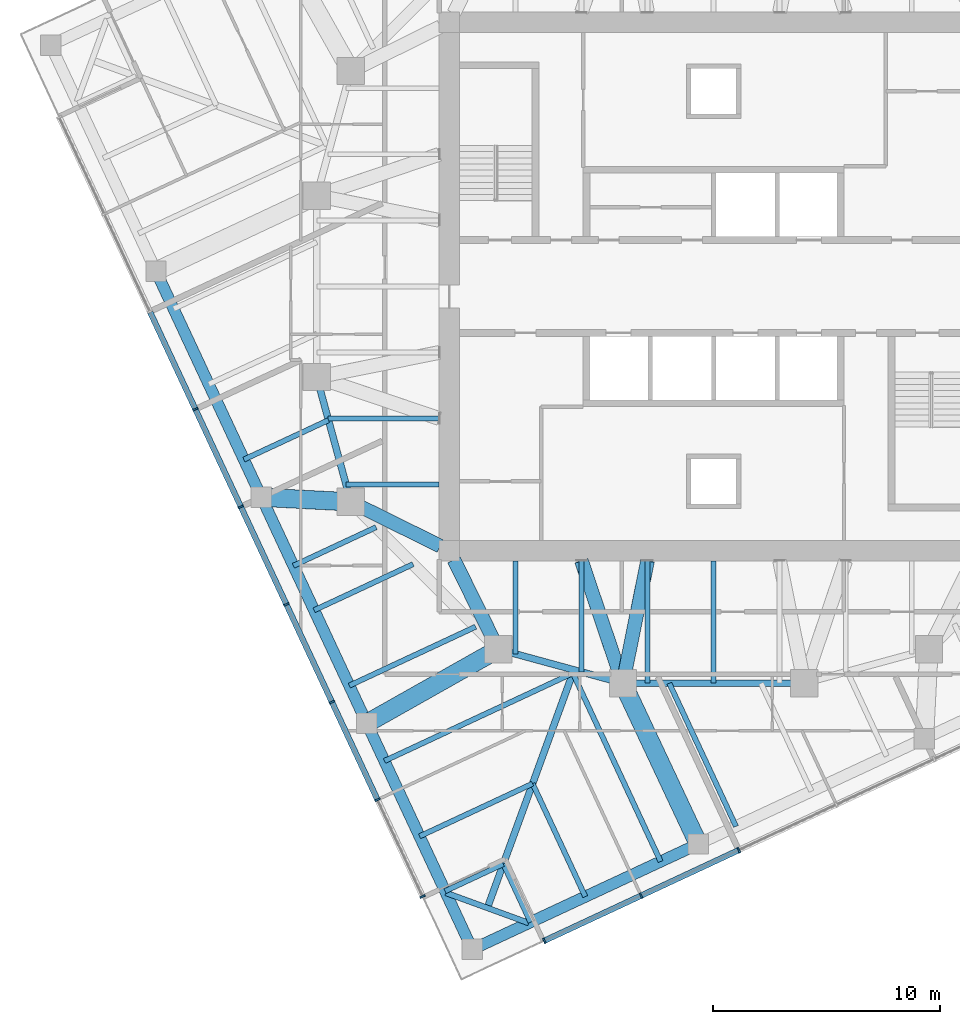
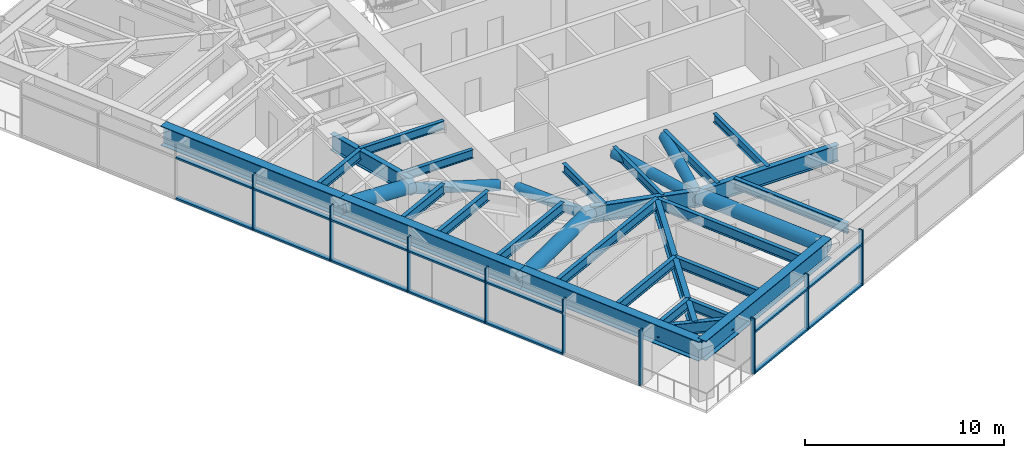
# One storey, part 2 of 16: 30 members, 26 beams, 2 elements without a shape of their own.
"""IFC4 building model written with IfcOpenShell, lengths in metres."""

from ifc_helpers import new_model, si_unit, direction, frame, origin, origin_2d, place, context, subcontext, project, spatial, rectangle, hollow_circle, i_section, extrude, material, material_profile, profile_set, type_object, element, aggregate, save


model = new_model("IFC4")

# Units and contexts
model_context = context("Model", 3, precision=1e-05, world=origin(), true_north=direction((0.0, 1.0)))
body_context = subcontext(model_context, "Body", "Model", "MODEL_VIEW")
ifc_project = project(units=[si_unit("LENGTHUNIT", "METRE"), si_unit("AREAUNIT", "SQUARE_METRE"), si_unit("VOLUMEUNIT", "CUBIC_METRE"), si_unit("PLANEANGLEUNIT", "RADIAN"), si_unit("MASSUNIT", "GRAM", prefix="KILO")], contexts=[model_context])

# Site, building, storey
site_placement = place(None, origin())
site = spatial("IfcSite", under=ifc_project, at=site_placement, CompositionType="ELEMENT")
building_placement = place(site_placement, origin())
building = spatial("IfcBuilding", under=site, at=building_placement, Name="Torsade Residences", CompositionType="ELEMENT")
storey_placement = place(building_placement, frame((0.0, 0.0, 199.800048828125)))
storey = spatial("IfcBuildingStorey", under=building, at=storey_placement, Name="L55", CompositionType="ELEMENT", Elevation=199.800048828125)

# Beams
ifc_material_1 = material(Name="Steel grade 300", Category="steel")
ifc_material_profile_1 = material_profile(ifc_material_1, i_section(OverallWidth=0.300048828125, OverallDepth=1.0, WebThickness=0.01611328125, FlangeThickness=0.028076171875, at=origin_2d()), Name="1000WB215")
ifc_profile_set_1 = profile_set([ifc_material_profile_1], Name="Steel grade 300")
beam_type_1 = type_object("IfcBeamType", Name="CORNER GIRDER 1000WB215", PredefinedType="BEAM", material=ifc_profile_set_1)
beam_1_placement = place(storey_placement, frame((30.02392578125, 2.5908203125, 2.699951171875), z_axis=(0.342015044723, 0.93969447651, 0.0), x_axis=(-0.93969447651, 0.342015044723, 0.0)))
element("IfcBeam", 1, at=beam_1_placement, inside=storey, type_object=beam_type_1, Name="Corner girder 01 L56", PredefinedType="BEAM", context=body_context, shape_type="SweptSolid", body=[
    extrude(i_section(OverallWidth=0.300048828125, OverallDepth=1.0, WebThickness=0.01611328125, FlangeThickness=0.028076171875, at=origin_2d()), origin(), (0.0, 0.0, 1.0), 11.170654296875),
])
ifc_material_2 = material(Name="Steel grade 300", Category="steel")
ifc_material_profile_2 = material_profile(ifc_material_2, i_section(OverallWidth=0.25, OverallDepth=0.699951171875, WebThickness=0.010009765625, FlangeThickness=0.02001953125, at=origin_2d()), Name="700WB130")
ifc_profile_set_2 = profile_set([ifc_material_profile_2], Name="Steel grade 300")
beam_type_2 = type_object("IfcBeamType", Name="CORNER TRIMMER 700WB130", PredefinedType="BEAM", material=ifc_profile_set_2)
beam_2_placement = place(storey_placement, frame((31.85107421875, 1.92578125, 2.849853515625), z_axis=(-0.939698076972, 0.342005152204, 0.0), x_axis=(-0.342005152204, -0.939698076972, 0.0)))
element("IfcBeam", 2, at=beam_2_placement, inside=storey, type_object=beam_type_2, Name="Corner trimmer 01 L56", PredefinedType="BEAM", context=body_context, shape_type="SweptSolid", body=[
    extrude(i_section(OverallWidth=0.25, OverallDepth=0.699951171875, WebThickness=0.010009765625, FlangeThickness=0.02001953125, at=origin_2d()), origin(), (0.0, 0.0, 1.0), 3.88916015625),
])
ifc_material_3 = material(Name="Steel grade 300", Category="steel")
ifc_material_profile_3 = material_profile(ifc_material_3, i_section(OverallWidth=0.208984375, OverallDepth=0.528076171875, WebThickness=0.009521484375, FlangeThickness=0.01318359375, FilletRadius=0.013916015625, at=origin_2d()), Name="530UB82.0")
ifc_profile_set_3 = profile_set([ifc_material_profile_3], Name="Steel grade 300")
beam_type_3 = type_object("IfcBeamType", Name="INNER FLOOR BEAM 530UB82.0", PredefinedType="JOIST", material=ifc_profile_set_3)
for number, where, z_axis, x_axis, name in (
    (3, (40.0, 17.89990234375, 2.93603515625), (0.0, -1.0, 0.0), (1.0, 0.0, 0.0), "Inner floor beam IS04 L56"),
    (4, (37.08740234375, 17.89990234375, 2.93603515625), (0.0, -1.0, 0.0), (1.0, 0.0, 0.0), "Inner floor beam IS05 L56"),
):
    element("IfcBeam", number, at=place(storey_placement, frame(where, z_axis=z_axis, x_axis=x_axis)), inside=storey, type_object=beam_type_3, Name=name, PredefinedType="JOIST", context=body_context, shape_type="SweptSolid", body=[
        extrude(i_section(OverallWidth=0.208984375, OverallDepth=0.528076171875, WebThickness=0.009521484375, FlangeThickness=0.01318359375, FilletRadius=0.013916015625, at=origin_2d()), origin(), (0.0, 0.0, 1.0), 5.39990234375),
    ])
beam_3_placement = place(storey_placement, frame((34.175048828125, 17.89990234375, 2.93603515625), z_axis=(0.0, -1.0, 0.0), x_axis=(1.0, 0.0, 0.0)))
element("IfcBeam", 5, at=beam_3_placement, inside=storey, type_object=beam_type_3, Name="Inner floor beam IS06 L56", PredefinedType="JOIST", context=body_context, shape_type="SweptSolid", body=[
    extrude(i_section(OverallWidth=0.208984375, OverallDepth=0.528076171875, WebThickness=0.009521484375, FlangeThickness=0.01318359375, FilletRadius=0.013916015625, at=origin_2d()), origin(), (0.0, 0.0, 1.0), 4.902099609375),
])
beam_4_placement = place(storey_placement, frame((31.262451171875, 17.89990234375, 2.93603515625), z_axis=(0.0, -1.0, 0.0), x_axis=(1.0, 0.0, 0.0)))
element("IfcBeam", 6, at=beam_4_placement, inside=storey, type_object=beam_type_3, Name="Inner floor beam IS07 L56", PredefinedType="JOIST", context=body_context, shape_type="SweptSolid", body=[
    extrude(i_section(OverallWidth=0.208984375, OverallDepth=0.528076171875, WebThickness=0.009521484375, FlangeThickness=0.01318359375, FilletRadius=0.013916015625, at=origin_2d()), origin(), (0.0, 0.0, 1.0), 4.10791015625),
])
beam_5_placement = place(storey_placement, frame((27.89990234375, 24.175048828125, 2.93603515625), z_axis=(-1.0, 0.0, 0.0), x_axis=(0.0, -1.0, 0.0)))
element("IfcBeam", 7, at=beam_5_placement, inside=storey, type_object=beam_type_3, Name="Inner floor beam IW06 L56", PredefinedType="JOIST", context=body_context, shape_type="SweptSolid", body=[
    extrude(i_section(OverallWidth=0.208984375, OverallDepth=0.528076171875, WebThickness=0.009521484375, FlangeThickness=0.01318359375, FilletRadius=0.013916015625, at=origin_2d()), origin(), (0.0, 0.0, 1.0), 4.902099609375),
])
beam_6_placement = place(storey_placement, frame((27.89990234375, 21.262451171875, 2.93603515625), z_axis=(-1.0, 0.0, 0.0), x_axis=(0.0, -1.0, 0.0)))
element("IfcBeam", 8, at=beam_6_placement, inside=storey, type_object=beam_type_3, Name="Inner floor beam IW07 L56", PredefinedType="JOIST", context=body_context, shape_type="SweptSolid", body=[
    extrude(i_section(OverallWidth=0.208984375, OverallDepth=0.528076171875, WebThickness=0.009521484375, FlangeThickness=0.01318359375, FilletRadius=0.013916015625, at=origin_2d()), origin(), (0.0, 0.0, 1.0), 4.10791015625),
])

# Curtain wall, members
ifc_material_4 = material(Name="Aluminium and glass", Category="aluminium")
curtain_wall_type = type_object("IfcCurtainWallType", Name="FRITTED GLASS CURTAIN WALL MID ZONE", PredefinedType="NOTDEFINED", material=ifc_material_4)
curtain_wall_1_placement = place(storey_placement, origin())
curtain_wall_1 = element("IfcCurtainWall", 9, at=curtain_wall_1_placement, inside=storey, type_object=curtain_wall_type, Name="Curtain wall L55 face 1", PredefinedType="NOTDEFINED")
ifc_material_5 = material(Name="Aluminium mullion", Category="aluminium")
ifc_material_profile_4 = material_profile(ifc_material_5, rectangle(XDim=0.25, YDim=0.080078125, at=origin_2d()), Name="MID ZONE CURTAIN WALL MULLION 250x80")
ifc_profile_set_4 = profile_set([ifc_material_profile_4], Name="Aluminium mullion")
member_type_1 = type_object("IfcMemberType", Name="MID ZONE CURTAIN WALL MULLION 250x80", PredefinedType="MULLION", material=ifc_profile_set_4)
member_1_placement = place(storey_placement, frame((32.53662109375, 1.14208984375, 0.0), z_axis=(0.0, 0.0, 1.0), x_axis=(-0.422618261978, 0.906307786926, 0.0)))
member_1 = element("IfcMember", 10, at=member_1_placement, type_object=member_type_1, Name="Mullion 1", PredefinedType="MULLION", context=body_context, shape_type="SweptSolid", body=[
    extrude(rectangle(XDim=0.25, YDim=0.080078125, at=origin_2d()), origin(), (0.0, 0.0, 1.0), 3.39990234375),
])
member_2_placement = place(storey_placement, frame((36.805419921875, 3.132568359375, 0.0), z_axis=(0.0, 0.0, 1.0), x_axis=(-0.422618261978, 0.906307786926, 0.0)))
member_2 = element("IfcMember", 11, at=member_2_placement, type_object=member_type_1, Name="Mullion 2", PredefinedType="MULLION", context=body_context, shape_type="SweptSolid", body=[
    extrude(rectangle(XDim=0.25, YDim=0.080078125, at=origin_2d()), origin(), (0.0, 0.0, 1.0), 3.39990234375),
])
member_3_placement = place(storey_placement, frame((41.1103515625, 5.14013671875, 0.0), z_axis=(0.0, 0.0, 1.0), x_axis=(-0.422618261978, 0.906307786926, 0.0)))
member_3 = element("IfcMember", 12, at=member_3_placement, type_object=member_type_1, Name="Mullion 3", PredefinedType="MULLION", context=body_context, shape_type="SweptSolid", body=[
    extrude(rectangle(XDim=0.25, YDim=0.080078125, at=origin_2d()), origin(), (0.0, 0.0, 1.0), 3.39990234375),
])

curtain_wall_2_placement = place(storey_placement, origin())
curtain_wall_2 = element("IfcCurtainWall", 13, at=curtain_wall_2_placement, inside=storey, type_object=curtain_wall_type, Name="Curtain wall L55 face 10", PredefinedType="NOTDEFINED")
member_4_placement = place(storey_placement, frame((17.1474609375, 24.584716796875, 0.0), z_axis=(0.0, 0.0, 1.0), x_axis=(0.906307786926, 0.422618261978, 0.0)))
member_4 = element("IfcMember", 14, at=member_4_placement, type_object=member_type_1, Name="Mullion 4", PredefinedType="MULLION", context=body_context, shape_type="SweptSolid", body=[
    extrude(rectangle(XDim=0.25, YDim=0.080078125, at=origin_2d()), origin(), (0.0, 0.0, 1.0), 3.39990234375),
])
member_5_placement = place(storey_placement, frame((19.155029296875, 20.27978515625, 0.0), z_axis=(0.0, 0.0, 1.0), x_axis=(0.906307786926, 0.422618261978, 0.0)))
member_5 = element("IfcMember", 15, at=member_5_placement, type_object=member_type_1, Name="Mullion 5", PredefinedType="MULLION", context=body_context, shape_type="SweptSolid", body=[
    extrude(rectangle(XDim=0.25, YDim=0.080078125, at=origin_2d()), origin(), (0.0, 0.0, 1.0), 3.39990234375),
])
member_6_placement = place(storey_placement, frame((21.162353515625, 15.974853515625, 0.0), z_axis=(0.0, 0.0, 1.0), x_axis=(0.906307786926, 0.422618261978, 0.0)))
member_6 = element("IfcMember", 16, at=member_6_placement, type_object=member_type_1, Name="Mullion 6", PredefinedType="MULLION", context=body_context, shape_type="SweptSolid", body=[
    extrude(rectangle(XDim=0.25, YDim=0.080078125, at=origin_2d()), origin(), (0.0, 0.0, 1.0), 3.39990234375),
])
member_7_placement = place(storey_placement, frame((23.169677734375, 11.669921875, 0.0), z_axis=(0.0, 0.0, 1.0), x_axis=(0.906307786926, 0.422618261978, 0.0)))
member_7 = element("IfcMember", 17, at=member_7_placement, type_object=member_type_1, Name="Mullion 7", PredefinedType="MULLION", context=body_context, shape_type="SweptSolid", body=[
    extrude(rectangle(XDim=0.25, YDim=0.080078125, at=origin_2d()), origin(), (0.0, 0.0, 1.0), 3.39990234375),
])
member_8_placement = place(storey_placement, frame((25.17724609375, 7.364990234375, 0.0), z_axis=(0.0, 0.0, 1.0), x_axis=(0.906307786926, 0.422618261978, 0.0)))
member_8 = element("IfcMember", 18, at=member_8_placement, type_object=member_type_1, Name="Mullion 8", PredefinedType="MULLION", context=body_context, shape_type="SweptSolid", body=[
    extrude(rectangle(XDim=0.25, YDim=0.080078125, at=origin_2d()), origin(), (0.0, 0.0, 1.0), 3.39990234375),
])
member_9_placement = place(storey_placement, frame((27.167724609375, 3.09619140625, 0.0), z_axis=(0.0, 0.0, 1.0), x_axis=(0.906307786926, 0.422618261978, 0.0)))
member_9 = element("IfcMember", 19, at=member_9_placement, type_object=member_type_1, Name="Mullion 9", PredefinedType="MULLION", context=body_context, shape_type="SweptSolid", body=[
    extrude(rectangle(XDim=0.25, YDim=0.080078125, at=origin_2d()), origin(), (0.0, 0.0, 1.0), 3.39990234375),
])

# Member
ifc_material_6 = material(Name="Aluminium transom", Category="aluminium")
ifc_material_profile_5 = material_profile(ifc_material_6, rectangle(XDim=0.25, YDim=0.110107421875, at=origin_2d()), Name="MID ZONE CURTAIN WALL TRANSOM 250x110")
ifc_profile_set_5 = profile_set([ifc_material_profile_5], Name="Aluminium transom")
member_type_2 = type_object("IfcMemberType", Name="MID ZONE CURTAIN WALL TRANSOM 250x110", PredefinedType="USERDEFINED", material=ifc_profile_set_5)
member_10_placement = place(storey_placement, frame((32.572998046875, 1.158935546875, 0.054931640625), z_axis=(0.906296268578, 0.422642962277, 0.0), x_axis=(-0.422642962277, 0.906296268578, 0.0)))
member_10 = element("IfcMember", 20, at=member_10_placement, type_object=member_type_2, Name="Transom 1.1", ObjectType="TRANSOM", PredefinedType="USERDEFINED", context=body_context, shape_type="SweptSolid", body=[
    extrude(rectangle(XDim=0.25, YDim=0.110107421875, at=origin_2d()), origin(), (0.0, 0.0, 1.0), 4.6298828125),
])

member_11_placement = place(storey_placement, frame((32.572998046875, 1.158935546875, 2.554931640625), z_axis=(0.906296268578, 0.422642962277, 0.0), x_axis=(-0.422642962277, 0.906296268578, 0.0)))
member_11 = element("IfcMember", 21, at=member_11_placement, type_object=member_type_2, Name="Transom 1.2", ObjectType="TRANSOM", PredefinedType="USERDEFINED", context=body_context, shape_type="SweptSolid", body=[
    extrude(rectangle(XDim=0.25, YDim=0.110107421875, at=origin_2d()), origin(), (0.0, 0.0, 1.0), 4.6298828125),
])

member_12_placement = place(storey_placement, frame((36.841552734375, 3.1494140625, 0.054931640625), z_axis=(0.906305976097, 0.422622145291, 0.0), x_axis=(-0.422622145291, 0.906305976097, 0.0)))
member_12 = element("IfcMember", 22, at=member_12_placement, type_object=member_type_2, Name="Transom 2.1", ObjectType="TRANSOM", PredefinedType="USERDEFINED", context=body_context, shape_type="SweptSolid", body=[
    extrude(rectangle(XDim=0.25, YDim=0.110107421875, at=origin_2d()), origin(), (0.0, 0.0, 1.0), 4.669921875),
])

member_13_placement = place(storey_placement, frame((36.841552734375, 3.1494140625, 2.554931640625), z_axis=(0.906305976097, 0.422622145291, 0.0), x_axis=(-0.422622145291, 0.906305976097, 0.0)))
member_13 = element("IfcMember", 23, at=member_13_placement, type_object=member_type_2, Name="Transom 2.2", ObjectType="TRANSOM", PredefinedType="USERDEFINED", context=body_context, shape_type="SweptSolid", body=[
    extrude(rectangle(XDim=0.25, YDim=0.110107421875, at=origin_2d()), origin(), (0.0, 0.0, 1.0), 4.669921875),
])

aggregate(curtain_wall_1, [member_1, member_2, member_3, member_10, member_11, member_12, member_13])

member_14_placement = place(storey_placement, frame((15.156982421875, 28.853515625, 0.054931640625), z_axis=(0.422622145291, -0.906305976097, 0.0), x_axis=(0.906305976097, 0.422622145291, 0.0)))
member_14 = element("IfcMember", 24, at=member_14_placement, type_object=member_type_2, Name="Transom 3.1", ObjectType="TRANSOM", PredefinedType="USERDEFINED", context=body_context, shape_type="SweptSolid", body=[
    extrude(rectangle(XDim=0.25, YDim=0.110107421875, at=origin_2d()), origin(), (0.0, 0.0, 1.0), 4.669921875),
])

member_15_placement = place(storey_placement, frame((15.156982421875, 28.853515625, 2.554931640625), z_axis=(0.422622145291, -0.906305976097, 0.0), x_axis=(0.906305976097, 0.422622145291, 0.0)))
member_15 = element("IfcMember", 25, at=member_15_placement, type_object=member_type_2, Name="Transom 3.2", ObjectType="TRANSOM", PredefinedType="USERDEFINED", context=body_context, shape_type="SweptSolid", body=[
    extrude(rectangle(XDim=0.25, YDim=0.110107421875, at=origin_2d()), origin(), (0.0, 0.0, 1.0), 4.669921875),
])

member_16_placement = place(storey_placement, frame((17.164306640625, 24.548583984375, 0.054931640625), z_axis=(0.422602122035, -0.90631531293, 0.0), x_axis=(0.90631531293, 0.422602122035, 0.0)))
member_16 = element("IfcMember", 26, at=member_16_placement, type_object=member_type_2, Name="Transom 4.1", ObjectType="TRANSOM", PredefinedType="USERDEFINED", context=body_context, shape_type="SweptSolid", body=[
    extrude(rectangle(XDim=0.25, YDim=0.110107421875, at=origin_2d()), origin(), (0.0, 0.0, 1.0), 4.670166015625),
])

member_17_placement = place(storey_placement, frame((17.164306640625, 24.548583984375, 2.554931640625), z_axis=(0.422602122035, -0.90631531293, 0.0), x_axis=(0.90631531293, 0.422602122035, 0.0)))
member_17 = element("IfcMember", 27, at=member_17_placement, type_object=member_type_2, Name="Transom 4.2", ObjectType="TRANSOM", PredefinedType="USERDEFINED", context=body_context, shape_type="SweptSolid", body=[
    extrude(rectangle(XDim=0.25, YDim=0.110107421875, at=origin_2d()), origin(), (0.0, 0.0, 1.0), 4.670166015625),
])

member_18_placement = place(storey_placement, frame((19.171875, 20.243408203125, 0.054931640625), z_axis=(0.422622145291, -0.906305976097, 0.0), x_axis=(0.906305976097, 0.422622145291, 0.0)))
member_18 = element("IfcMember", 28, at=member_18_placement, type_object=member_type_2, Name="Transom 5.1", ObjectType="TRANSOM", PredefinedType="USERDEFINED", context=body_context, shape_type="SweptSolid", body=[
    extrude(rectangle(XDim=0.25, YDim=0.110107421875, at=origin_2d()), origin(), (0.0, 0.0, 1.0), 4.669921875),
])

member_19_placement = place(storey_placement, frame((19.171875, 20.243408203125, 2.554931640625), z_axis=(0.422622145291, -0.906305976097, 0.0), x_axis=(0.906305976097, 0.422622145291, 0.0)))
member_19 = element("IfcMember", 29, at=member_19_placement, type_object=member_type_2, Name="Transom 5.2", ObjectType="TRANSOM", PredefinedType="USERDEFINED", context=body_context, shape_type="SweptSolid", body=[
    extrude(rectangle(XDim=0.25, YDim=0.110107421875, at=origin_2d()), origin(), (0.0, 0.0, 1.0), 4.669921875),
])

member_20_placement = place(storey_placement, frame((21.17919921875, 15.9384765625, 0.054931640625), z_axis=(0.422622145291, -0.906305976097, 0.0), x_axis=(0.906305976097, 0.422622145291, 0.0)))
member_20 = element("IfcMember", 30, at=member_20_placement, type_object=member_type_2, Name="Transom 6.1", ObjectType="TRANSOM", PredefinedType="USERDEFINED", context=body_context, shape_type="SweptSolid", body=[
    extrude(rectangle(XDim=0.25, YDim=0.110107421875, at=origin_2d()), origin(), (0.0, 0.0, 1.0), 4.669921875),
])

member_21_placement = place(storey_placement, frame((21.17919921875, 15.9384765625, 2.554931640625), z_axis=(0.422622145291, -0.906305976097, 0.0), x_axis=(0.906305976097, 0.422622145291, 0.0)))
member_21 = element("IfcMember", 31, at=member_21_placement, type_object=member_type_2, Name="Transom 6.2", ObjectType="TRANSOM", PredefinedType="USERDEFINED", context=body_context, shape_type="SweptSolid", body=[
    extrude(rectangle(XDim=0.25, YDim=0.110107421875, at=origin_2d()), origin(), (0.0, 0.0, 1.0), 4.669921875),
])

member_22_placement = place(storey_placement, frame((23.186767578125, 11.633544921875, 0.054931640625), z_axis=(0.422622145291, -0.906305976097, 0.0), x_axis=(0.906305976097, 0.422622145291, 0.0)))
member_22 = element("IfcMember", 32, at=member_22_placement, type_object=member_type_2, Name="Transom 7.1", ObjectType="TRANSOM", PredefinedType="USERDEFINED", context=body_context, shape_type="SweptSolid", body=[
    extrude(rectangle(XDim=0.25, YDim=0.110107421875, at=origin_2d()), origin(), (0.0, 0.0, 1.0), 4.669921875),
])

member_23_placement = place(storey_placement, frame((23.186767578125, 11.633544921875, 2.554931640625), z_axis=(0.422622145291, -0.906305976097, 0.0), x_axis=(0.906305976097, 0.422622145291, 0.0)))
member_23 = element("IfcMember", 33, at=member_23_placement, type_object=member_type_2, Name="Transom 7.2", ObjectType="TRANSOM", PredefinedType="USERDEFINED", context=body_context, shape_type="SweptSolid", body=[
    extrude(rectangle(XDim=0.25, YDim=0.110107421875, at=origin_2d()), origin(), (0.0, 0.0, 1.0), 4.669921875),
])

aggregate(curtain_wall_2, [member_4, member_5, member_6, member_7, member_8, member_9, member_14, member_15, member_16, member_17, member_18, member_19, member_20, member_21, member_22, member_23])

# Beams
ifc_material_7 = material(Name="Steel grade 300", Category="steel")
ifc_material_profile_6 = material_profile(ifc_material_7, i_section(OverallWidth=0.300048828125, OverallDepth=1.0, WebThickness=0.01611328125, FlangeThickness=0.028076171875, at=origin_2d()), Name="1000WB215")
ifc_profile_set_6 = profile_set([ifc_material_profile_6], Name="Steel grade 300")
beam_type_4 = type_object("IfcBeamType", Name="RING GIRDER 1000WB215", PredefinedType="BEAM", material=ifc_profile_set_6)
for number, where, z_axis, x_axis, name in (
    (34, (22.5, 26.0, 2.699951171875), (0.263117405792, -0.964763821238, 0.0), (0.964763821238, 0.263117405792, 0.0), "Ring girder IR10 L56"),
    (35, (30.5, 14.0, 2.699951171875), (0.964763821238, -0.263117405792, 0.0), (0.263117405792, 0.964763821238, 0.0), "Ring girder IR12 L56"),
):
    element("IfcBeam", number, at=place(storey_placement, frame(where, z_axis=z_axis, x_axis=x_axis)), inside=storey, type_object=beam_type_4, Name=name, PredefinedType="BEAM", context=body_context, shape_type="SweptSolid", body=[
        extrude(i_section(OverallWidth=0.300048828125, OverallDepth=1.0, WebThickness=0.01611328125, FlangeThickness=0.028076171875, at=origin_2d()), origin(), (0.0, 0.0, 1.0), 5.700927734375),
    ])
beam_7_placement = place(storey_placement, frame((36.0, 12.5, 2.699951171875), z_axis=(1.0, 0.0, 0.0), x_axis=(0.0, 1.0, 0.0)))
element("IfcBeam", 36, at=beam_7_placement, inside=storey, type_object=beam_type_4, Name="Ring girder IR13 L56", PredefinedType="BEAM", context=body_context, shape_type="SweptSolid", body=[
    extrude(i_section(OverallWidth=0.300048828125, OverallDepth=1.0, WebThickness=0.01611328125, FlangeThickness=0.028076171875, at=origin_2d()), origin(), (0.0, 0.0, 1.0), 8.0),
])
ifc_material_8 = material(Name="Steel grade 300", Category="steel")
ifc_material_profile_7 = material_profile(ifc_material_8, i_section(OverallWidth=0.22900390625, OverallDepth=0.612060546875, WebThickness=0.011962890625, FlangeThickness=0.01953125, FilletRadius=0.013916015625, at=origin_2d()), Name="610UB125")
ifc_profile_set_7 = profile_set([ifc_material_profile_7], Name="Steel grade 300")
beam_type_5 = type_object("IfcBeamType", Name="SECONDARY BEAM 610UB125", PredefinedType="JOIST", material=ifc_profile_set_7)
beam_8_placement = place(storey_placement, frame((31.9267578125, 1.9609375, 2.89404296875), z_axis=(-0.422644877104, 0.906295375613, 0.0), x_axis=(-0.906295375613, -0.422644877104, 0.0)))
element("IfcBeam", 37, at=beam_8_placement, inside=storey, type_object=beam_type_5, Name="Floor beam FS01 L56", PredefinedType="JOIST", context=body_context, shape_type="SweptSolid", body=[
    extrude(i_section(OverallWidth=0.22900390625, OverallDepth=0.612060546875, WebThickness=0.011962890625, FlangeThickness=0.01953125, FilletRadius=0.013916015625, at=origin_2d()), origin(), (0.0, 0.0, 1.0), 2.833251953125),
])
beam_9_placement = place(storey_placement, frame((34.343505859375, 3.088134765625, 2.89404296875), z_axis=(-0.422632720171, 0.90630104482, 0.0), x_axis=(-0.90630104482, -0.422632720171, 0.0)))
element("IfcBeam", 38, at=beam_9_placement, inside=storey, type_object=beam_type_5, Name="Floor beam FS02 L56", PredefinedType="JOIST", context=body_context, shape_type="SweptSolid", body=[
    extrude(i_section(OverallWidth=0.22900390625, OverallDepth=0.612060546875, WebThickness=0.011962890625, FlangeThickness=0.01953125, FilletRadius=0.013916015625, at=origin_2d()), origin(), (0.0, 0.0, 1.0), 5.5),
])
beam_10_placement = place(storey_placement, frame((37.666748046875, 4.6376953125, 2.89404296875), z_axis=(-0.422618627092, 0.90630761667, 0.0), x_axis=(-0.90630761667, -0.422618627092, 0.0)))
element("IfcBeam", 39, at=beam_10_placement, inside=storey, type_object=beam_type_5, Name="Floor beam FS03 L56", PredefinedType="JOIST", context=body_context, shape_type="SweptSolid", body=[
    extrude(i_section(OverallWidth=0.22900390625, OverallDepth=0.612060546875, WebThickness=0.011962890625, FlangeThickness=0.01953125, FilletRadius=0.013916015625, at=origin_2d()), origin(), (0.0, 0.0, 1.0), 9.166748046875),
])
beam_11_placement = place(storey_placement, frame((40.98974609375, 6.187255859375, 2.89404296875), z_axis=(-0.422609131726, 0.906312044376, 0.0), x_axis=(-0.906312044376, -0.422609131726, 0.0)))
element("IfcBeam", 40, at=beam_11_placement, inside=storey, type_object=beam_type_5, Name="Floor beam FS04 L56", PredefinedType="JOIST", context=body_context, shape_type="SweptSolid", body=[
    extrude(i_section(OverallWidth=0.22900390625, OverallDepth=0.612060546875, WebThickness=0.011962890625, FlangeThickness=0.01953125, FilletRadius=0.013916015625, at=origin_2d()), origin(), (0.0, 0.0, 1.0), 6.96533203125),
])
beam_12_placement = place(storey_placement, frame((19.286376953125, 22.364013671875, 2.89404296875), z_axis=(0.906299775267, 0.422635442612, 0.0), x_axis=(-0.422635442612, 0.906299775267, 0.0)))
element("IfcBeam", 41, at=beam_12_placement, inside=storey, type_object=beam_type_5, Name="Floor beam FW06 L56", PredefinedType="JOIST", context=body_context, shape_type="SweptSolid", body=[
    extrude(i_section(OverallWidth=0.22900390625, OverallDepth=0.612060546875, WebThickness=0.011962890625, FlangeThickness=0.01953125, FilletRadius=0.013916015625, at=origin_2d()), origin(), (0.0, 0.0, 1.0), 4.116455078125),
])
beam_13_placement = place(storey_placement, frame((21.469970703125, 17.681396484375, 2.89404296875), z_axis=(0.906310173615, 0.42261314367, 0.0), x_axis=(-0.42261314367, 0.906310173615, 0.0)))
element("IfcBeam", 42, at=beam_13_placement, inside=storey, type_object=beam_type_5, Name="Floor beam FW07 L56", PredefinedType="JOIST", context=body_context, shape_type="SweptSolid", body=[
    extrude(i_section(OverallWidth=0.22900390625, OverallDepth=0.612060546875, WebThickness=0.011962890625, FlangeThickness=0.01953125, FilletRadius=0.013916015625, at=origin_2d()), origin(), (0.0, 0.0, 1.0), 4.02490234375),
])
beam_14_placement = place(storey_placement, frame((22.3857421875, 15.7177734375, 2.89404296875), z_axis=(0.906307500203, 0.422618876857, 0.0), x_axis=(-0.422618876857, 0.906307500203, 0.0)))
element("IfcBeam", 43, at=beam_14_placement, inside=storey, type_object=beam_type_5, Name="Floor beam FW08 L56", PredefinedType="JOIST", context=body_context, shape_type="SweptSolid", body=[
    extrude(i_section(OverallWidth=0.22900390625, OverallDepth=0.612060546875, WebThickness=0.011962890625, FlangeThickness=0.01953125, FilletRadius=0.013916015625, at=origin_2d()), origin(), (0.0, 0.0, 1.0), 4.813232421875),
])
beam_15_placement = place(storey_placement, frame((23.935302734375, 12.39453125, 2.89404296875), z_axis=(0.906293692233, 0.42264848683, 0.0), x_axis=(-0.42264848683, 0.906293692233, 0.0)))
element("IfcBeam", 44, at=beam_15_placement, inside=storey, type_object=beam_type_5, Name="Floor beam FW09 L56", PredefinedType="JOIST", context=body_context, shape_type="SweptSolid", body=[
    extrude(i_section(OverallWidth=0.22900390625, OverallDepth=0.612060546875, WebThickness=0.011962890625, FlangeThickness=0.01953125, FilletRadius=0.013916015625, at=origin_2d()), origin(), (0.0, 0.0, 1.0), 6.14794921875),
])
beam_16_placement = place(storey_placement, frame((25.48486328125, 9.071533203125, 2.89404296875), z_axis=(0.90630761667, 0.422618627092, 0.0), x_axis=(-0.422618627092, 0.90630761667, 0.0)))
element("IfcBeam", 45, at=beam_16_placement, inside=storey, type_object=beam_type_5, Name="Floor beam FW10 L56", PredefinedType="JOIST", context=body_context, shape_type="SweptSolid", body=[
    extrude(i_section(OverallWidth=0.22900390625, OverallDepth=0.612060546875, WebThickness=0.011962890625, FlangeThickness=0.01953125, FilletRadius=0.013916015625, at=origin_2d()), origin(), (0.0, 0.0, 1.0), 9.166748046875),
])
beam_17_placement = place(storey_placement, frame((27.034423828125, 5.748291015625, 2.89404296875), z_axis=(0.90630104482, 0.422632720171, 0.0), x_axis=(-0.422632720171, 0.90630104482, 0.0)))
element("IfcBeam", 46, at=beam_17_placement, inside=storey, type_object=beam_type_5, Name="Floor beam FW11 L56", PredefinedType="JOIST", context=body_context, shape_type="SweptSolid", body=[
    extrude(i_section(OverallWidth=0.22900390625, OverallDepth=0.612060546875, WebThickness=0.011962890625, FlangeThickness=0.01953125, FilletRadius=0.013916015625, at=origin_2d()), origin(), (0.0, 0.0, 1.0), 5.5),
])
beam_18_placement = place(storey_placement, frame((28.161376953125, 3.33154296875, 2.89404296875), z_axis=(0.906328379221, 0.42257409885, 0.0), x_axis=(-0.42257409885, 0.906328379221, 0.0)))
element("IfcBeam", 47, at=beam_18_placement, inside=storey, type_object=beam_type_5, Name="Floor beam FW12 L56", PredefinedType="JOIST", context=body_context, shape_type="SweptSolid", body=[
    extrude(i_section(OverallWidth=0.22900390625, OverallDepth=0.612060546875, WebThickness=0.011962890625, FlangeThickness=0.01953125, FilletRadius=0.013916015625, at=origin_2d()), origin(), (0.0, 0.0, 1.0), 2.833251953125),
])

# Members
ifc_material_9 = material(Name="Steel grade 450", Category="steel")
ifc_material_profile_8 = material_profile(ifc_material_9, hollow_circle(Radius=0.304931640625, WallThickness=0.01611328125, at=origin_2d()), Name="610.0x16.0CHS")
ifc_profile_set_8 = profile_set([ifc_material_profile_8], Name="Steel grade 450")
member_type_3 = type_object("IfcMemberType", Name="TRANSFER FLOOR BRACE 610.0x16.0CHS", PredefinedType="BRACE", material=ifc_profile_set_8)
for number, where, z_axis, x_axis, name in (
    (48, (24.0, 20.5, 2.599853515625), (0.896469701914, -0.443105036702, 0.0), (0.443105036702, 0.896469701914, 0.0), "Transfer floor brace TT6 bottom IR11C"),
    (49, (30.5, 14.0, 2.599853515625), (-0.443105036702, 0.896469701914, 0.0), (-0.896469701914, -0.443105036702, 0.0), "Transfer floor brace TT6 bottom IR12C"),
):
    element("IfcMember", number, at=place(storey_placement, frame(where, z_axis=z_axis, x_axis=x_axis)), inside=storey, type_object=member_type_3, Name=name, PredefinedType="BRACE", context=body_context, shape_type="SweptSolid", body=[
        extrude(hollow_circle(Radius=0.304931640625, WallThickness=0.01611328125, at=origin_2d()), origin(), (0.0, 0.0, 1.0), 4.40234375),
    ])
member_24_placement = place(storey_placement, frame((36.0, 12.5, 2.599853515625), z_axis=(0.197299045909, 0.97976207845, 0.03375434957), x_axis=(-0.980320704809, 0.197411538983, 0.0)))
element("IfcMember", 50, at=member_24_placement, inside=storey, type_object=member_type_3, Name="Transfer floor brace TT6 bottom IR13IS05", PredefinedType="BRACE", context=body_context, shape_type="SweptSolid", body=[
    extrude(hollow_circle(Radius=0.304931640625, WallThickness=0.01611328125, at=origin_2d()), origin(), (0.0, 0.0, 1.0), 5.511474609375),
])
member_25_placement = place(storey_placement, frame((36.0, 12.5, 2.599853515625), z_axis=(-0.319999474368, 0.946855969774, 0.032620682203), x_axis=(-0.947360151124, -0.320169867513, 0.0)))
element("IfcMember", 51, at=member_25_placement, inside=storey, type_object=member_type_3, Name="Transfer floor brace TT6 bottom IR13IS06", PredefinedType="BRACE", context=body_context, shape_type="SweptSolid", body=[
    extrude(hollow_circle(Radius=0.304931640625, WallThickness=0.01611328125, at=origin_2d()), origin(), (0.0, 0.0, 1.0), 5.702880859375),
])
ifc_material_10 = material(Name="Steel grade 450", Category="steel")
ifc_material_profile_9 = material_profile(ifc_material_10, hollow_circle(Radius=0.406494140625, WallThickness=0.02490234375, at=origin_2d()), Name="813.0x25.0CHS")
ifc_profile_set_9 = profile_set([ifc_material_profile_9], Name="Steel grade 450")
member_type_4 = type_object("IfcMemberType", Name="TRANSFER FLOOR STRUT 813.0x25.0CHS", PredefinedType="STRUT", material=ifc_profile_set_9)
member_26_placement = place(storey_placement, frame((39.328125, 5.412353515625, 2.800048828125), z_axis=(-0.425040097929, 0.905174521931, 0.0), x_axis=(-0.905174521931, -0.425040097929, 0.0)))
element("IfcMember", 52, at=member_26_placement, inside=storey, type_object=member_type_4, Name="Transfer floor strut TT6 bottom 02IR13", PredefinedType="STRUT", context=body_context, shape_type="SweptSolid", body=[
    extrude(hollow_circle(Radius=0.406494140625, WallThickness=0.02490234375, at=origin_2d()), origin(), (0.0, 0.0, 1.0), 7.830078125),
])
member_27_placement = place(storey_placement, frame((20.061279296875, 20.702392578125, 2.800048828125), z_axis=(0.998682381191, -0.051317652886, 0.0), x_axis=(0.051317652886, 0.998682381191, 0.0)))
element("IfcMember", 53, at=member_27_placement, inside=storey, type_object=member_type_4, Name="Transfer floor strut TT6 bottom 15IR11", PredefinedType="STRUT", context=body_context, shape_type="SweptSolid", body=[
    extrude(hollow_circle(Radius=0.406494140625, WallThickness=0.02490234375, at=origin_2d()), origin(), (0.0, 0.0, 1.0), 3.94384765625),
])
member_28_placement = place(storey_placement, frame((24.7099609375, 10.73291015625, 2.800048828125), z_axis=(0.870919631641, 0.491425472703, 0.0), x_axis=(-0.491425472703, 0.870919631641, 0.0)))
element("IfcMember", 54, at=member_28_placement, inside=storey, type_object=member_type_4, Name="Transfer floor strut TT6 bottom 16IR12", PredefinedType="STRUT", context=body_context, shape_type="SweptSolid", body=[
    extrude(hollow_circle(Radius=0.406494140625, WallThickness=0.02490234375, at=origin_2d()), origin(), (0.0, 0.0, 1.0), 6.648193359375),
])

# Beams
ifc_material_11 = material(Name="Steel grade 300", Category="steel")
ifc_material_profile_10 = material_profile(ifc_material_11, i_section(OverallWidth=0.5, OverallDepth=1.199951171875, WebThickness=0.01611328125, FlangeThickness=0.0400390625, at=origin_2d()), Name="1200WB455")
ifc_profile_set_10 = profile_set([ifc_material_profile_10], Name="Steel grade 300")
beam_type_6 = type_object("IfcBeamType", Name="TRANSFER TRUSS CHORD 1200WB455", PredefinedType="USERDEFINED", material=ifc_profile_set_10)
beam_19_placement = place(storey_placement, frame((29.35888671875, 0.763671875, 2.800048828125), z_axis=(0.906309546032, 0.422614489543, 0.0), x_axis=(-0.422614489543, 0.906309546032, 0.0)))
element("IfcBeam", 55, at=beam_19_placement, inside=storey, type_object=beam_type_6, Name="Transfer truss TT6 bottom chord 01", ObjectType="TRANSFER TRUSS CHORD", PredefinedType="USERDEFINED", context=body_context, shape_type="SweptSolid", body=[
    extrude(i_section(OverallWidth=0.5, OverallDepth=1.199951171875, WebThickness=0.01611328125, FlangeThickness=0.0400390625, at=origin_2d()), origin(), (0.0, 0.0, 1.0), 10.999755859375),
])
beam_20_placement = place(storey_placement, frame((15.412353515625, 30.671875, 2.800048828125), z_axis=(0.422624219007, -0.906305009094, 0.0), x_axis=(0.906305009094, 0.422624219007, 0.0)))
element("IfcBeam", 56, at=beam_20_placement, inside=storey, type_object=beam_type_6, Name="Transfer truss TT6 bottom chord 14", ObjectType="TRANSFER TRUSS CHORD", PredefinedType="USERDEFINED", context=body_context, shape_type="SweptSolid", body=[
    extrude(i_section(OverallWidth=0.5, OverallDepth=1.199951171875, WebThickness=0.01611328125, FlangeThickness=0.0400390625, at=origin_2d()), origin(), (0.0, 0.0, 1.0), 11.000244140625),
])
for number, where, z_axis, x_axis, name in (
    (57, (20.061279296875, 20.702392578125, 2.800048828125), (0.422605988587, -0.906313510001, 0.0), (0.906313510001, 0.422605988587, 0.0), "Transfer truss TT6 bottom chord 15"),
    (58, (24.7099609375, 10.73291015625, 2.800048828125), (0.422632720171, -0.90630104482, 0.0), (0.90630104482, 0.422632720171, 0.0), "Transfer truss TT6 bottom chord 16"),
):
    element("IfcBeam", number, at=place(storey_placement, frame(where, z_axis=z_axis, x_axis=x_axis)), inside=storey, type_object=beam_type_6, Name=name, ObjectType="TRANSFER TRUSS CHORD", PredefinedType="USERDEFINED", context=body_context, shape_type="SweptSolid", body=[
        extrude(i_section(OverallWidth=0.5, OverallDepth=1.199951171875, WebThickness=0.01611328125, FlangeThickness=0.0400390625, at=origin_2d()), origin(), (0.0, 0.0, 1.0), 11.0),
    ])

save(model, "model.ifc")
